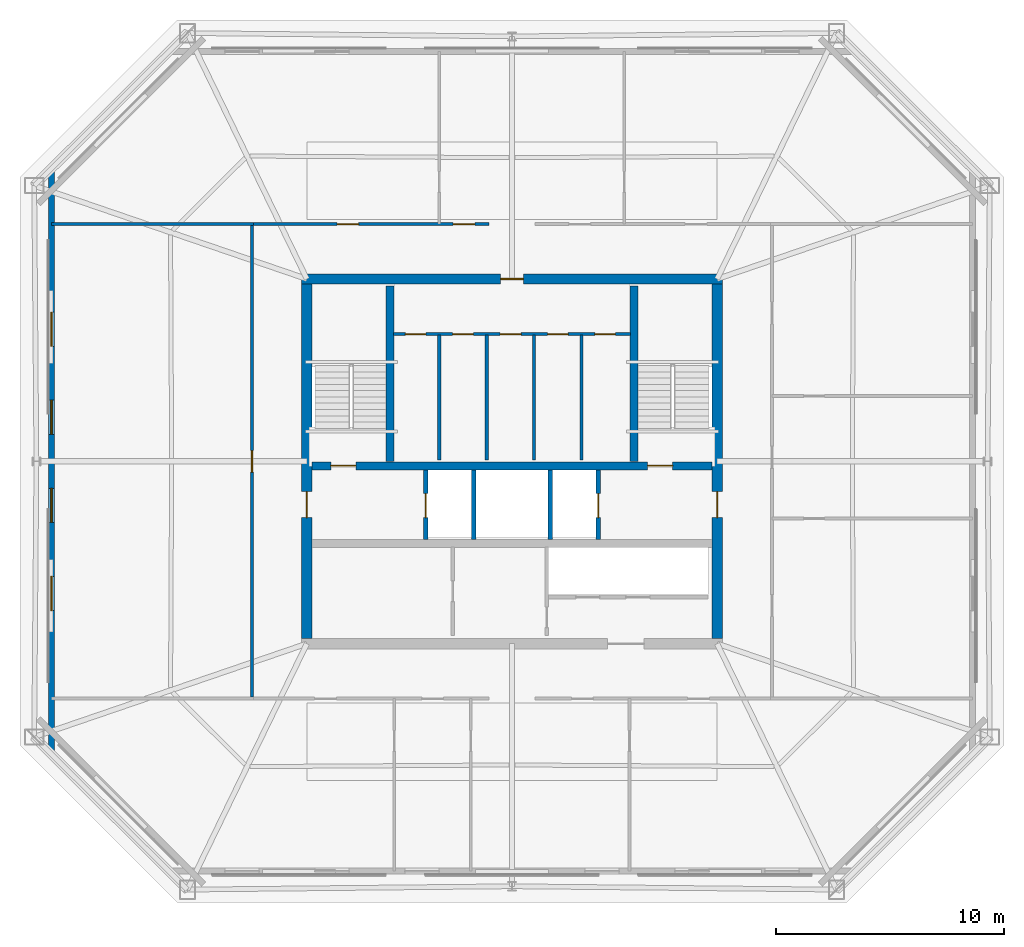
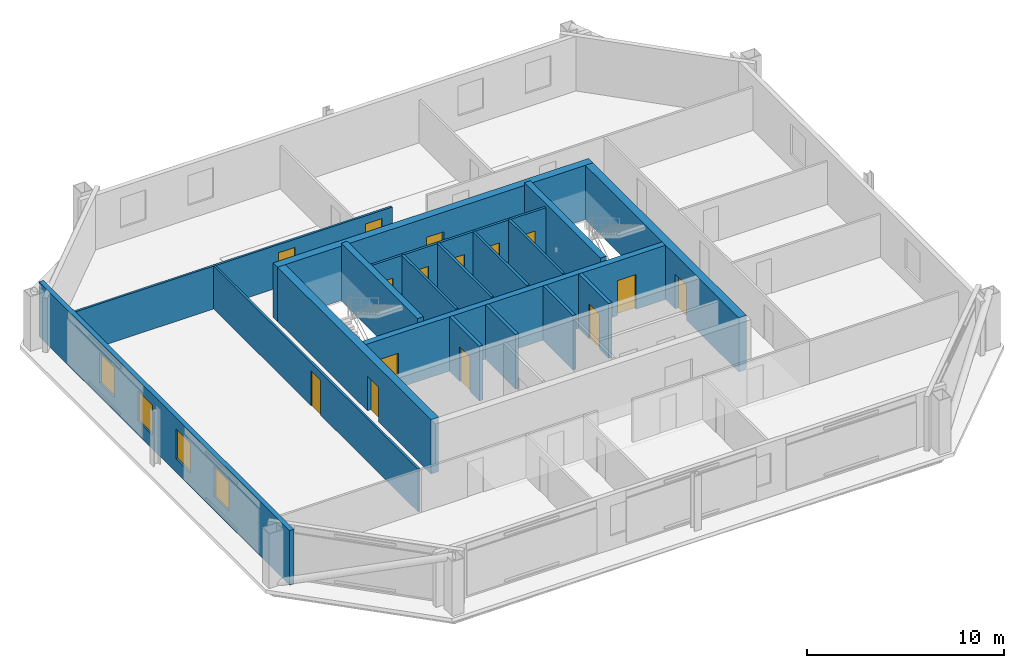
# One storey, part 3 of 7: 19 walls, 15 doors, 4 windows, 19 openings.
"""IFC4 building model written with IfcOpenShell, lengths in metres."""

from ifc_helpers import new_model, si_unit, direction, frame, frame_2d, origin, place, context, subcontext, project, spatial, rectangle, extrude, material, layer, layer_set, type_object, element, fill, save


model = new_model("IFC4")

# Units and contexts
model_context = context("Model", 3, precision=1e-05, world=origin(), true_north=direction((0.0, 1.0)))
body_context = subcontext(model_context, "Body", "Model", "MODEL_VIEW")
ifc_project = project(units=[si_unit("LENGTHUNIT", "METRE"), si_unit("AREAUNIT", "SQUARE_METRE"), si_unit("VOLUMEUNIT", "CUBIC_METRE"), si_unit("PLANEANGLEUNIT", "RADIAN"), si_unit("MASSUNIT", "GRAM", prefix="KILO")], contexts=[model_context])

# Site, building, storey
site_placement = place(None, origin())
site = spatial("IfcSite", under=ifc_project, at=site_placement, CompositionType="ELEMENT")
building_placement = place(site_placement, origin())
building = spatial("IfcBuilding", under=site, at=building_placement, Name="Caelvoria Tower", CompositionType="ELEMENT")
storey_placement = place(building_placement, frame((0.0, 0.0, 213.0)))
storey = spatial("IfcBuildingStorey", under=building, at=storey_placement, Name="L56", CompositionType="ELEMENT", Elevation=213.0)

# Wall, openings, doors
ifc_material_1 = material(Name="Concrete C50/60", Category="concrete")
ifc_layer_1 = layer(ifc_material_1, 0.35009765625, Name="Concrete C50/60")
ifc_layer_set_1 = layer_set([ifc_layer_1], Name="Core Internal Shear Wall 350 - Concrete C50/60")
wall_type_1 = type_object("IfcWallType", Name="Core Internal Shear Wall 350", PredefinedType="SHEAR", material=ifc_layer_set_1)
wall_1_placement = place(storey_placement, frame((37.22509765625, 31.800048828125, 0.0), z_axis=(0.0, 0.0, 1.0), x_axis=(1.0, 0.0, 0.0)))
wall_1 = element("IfcWall", 1, at=wall_1_placement, inside=storey, type_object=wall_type_1, Name="Core Shear Wall L56 M1", PredefinedType="SHEAR", context=body_context, shape_type="SweptSolid", body=[
    extrude(rectangle(XDim=17.5498046875, YDim=0.35009765625, at=frame_2d((8.77490234375, 0.0))), origin(), (0.0, 0.0, 1.0), 3.360107421875),
])
opening_1_placement = place(wall_1_placement, frame((0.824951171875, 0.0, 0.0)))
opening_1 = element("IfcOpeningElement", 2, at=opening_1_placement, cuts=wall_1, Name="Opening ID-01", PredefinedType="OPENING", context=body_context, shape_type="SweptSolid", body=[
    extrude(rectangle(XDim=1.10009765625, YDim=2.14990234375, at=frame_2d((0.550048828125, 1.074951171875))), frame((0.0, 0.18505859375, 0.0), z_axis=(0.0, -1.0, 0.0), x_axis=(1.0, 0.0, 0.0)), (0.0, 0.0, 1.0), 0.3701171875),
])
opening_2_placement = place(wall_1_placement, frame((14.72509765625, 0.0, 0.0)))
opening_2 = element("IfcOpeningElement", 3, at=opening_2_placement, cuts=wall_1, Name="Opening ID-01", PredefinedType="OPENING", context=body_context, shape_type="SweptSolid", body=[
    extrude(rectangle(XDim=1.10009765625, YDim=2.14990234375, at=frame_2d((0.550048828125, 1.074951171875))), frame((0.0, 0.18505859375, 0.0), z_axis=(0.0, -1.0, 0.0), x_axis=(1.0, 0.0, 0.0)), (0.0, 0.0, 1.0), 0.3701171875),
])
ifc_material_2 = material(Name="Painted Hollow Steel Fire Door", Category="steel")
door_type_1 = type_object("IfcDoorType", Name="Fire Door FD90S 1100x2150", OperationType="NOTDEFINED", PredefinedType="DOOR", material=ifc_material_2)
door_1_placement = place(opening_1_placement, origin())
door_1 = element("IfcDoor", 4, at=door_1_placement, inside=storey, type_object=door_type_1, Name="Core Door DR-L56-ST1", OperationType="SINGLE_SWING_LEFT", OverallHeight=2.14990234375, OverallWidth=1.10009765625, PredefinedType="DOOR", context=body_context, shape_type="SweptSolid", body=[
    extrude(rectangle(XDim=1.10009765625, YDim=2.14990234375, at=frame_2d((0.550048828125, 1.074951171875))), frame((0.0, 0.02490234375, 0.0), z_axis=(0.0, -1.0, 0.0), x_axis=(1.0, 0.0, 0.0)), (0.0, 0.0, 1.0), 0.050048828125),
])
fill(opening_1, door_1)
door_2_placement = place(opening_2_placement, origin())
door_2 = element("IfcDoor", 5, at=door_2_placement, inside=storey, type_object=door_type_1, Name="Core Door DR-L56-ST2", OperationType="SINGLE_SWING_RIGHT", OverallHeight=2.14990234375, OverallWidth=1.10009765625, PredefinedType="DOOR", context=body_context, shape_type="SweptSolid", body=[
    extrude(rectangle(XDim=1.10009765625, YDim=2.14990234375, at=frame_2d((0.550048828125, 1.074951171875))), frame((0.0, 0.02490234375, 0.0), z_axis=(0.0, -1.0, 0.0), x_axis=(1.0, 0.0, 0.0)), (0.0, 0.0, 1.0), 0.050048828125),
])
fill(opening_2, door_2)

# Walls
for number, where, z_axis, x_axis, name in (
    (6, (40.64990234375, 32.0, 0.0), (0.0, 0.0, 1.0), (0.0, 1.0, 0.0), "Interior Partition IW-L56-ST1E"),
    (7, (51.35009765625, 32.0, 0.0), (0.0, 0.0, 1.0), (0.0, 1.0, 0.0), "Interior Partition IW-L56-ST2W"),
):
    element("IfcWall", number, at=place(storey_placement, frame(where, z_axis=z_axis, x_axis=x_axis)), inside=storey, type_object=wall_type_1, Name=name, PredefinedType="SHEAR", context=body_context, shape_type="SweptSolid", body=[
        extrude(rectangle(XDim=7.699951171875, YDim=0.35009765625, at=frame_2d((3.85009765625, 0.0))), origin(), (0.0, 0.0, 1.0), 3.60009765625),
    ])
ifc_material_3 = material(Name="Moisture-Resistant Gypsum on Steel Stud", Category="steel")
ifc_layer_2 = layer(ifc_material_3, 0.139892578125, Name="Moisture-Resistant Gypsum on Steel Stud")
ifc_layer_set_2 = layer_set([ifc_layer_2], Name="Core Sanitary Acoustic Partition Wall 140 - Moisture-Resistant Gypsum on Steel Stud")
wall_type_2 = type_object("IfcWallType", Name="Core Sanitary Acoustic Partition Wall 140", PredefinedType="PARTITIONING", material=ifc_layer_set_2)
for number, where, z_axis, x_axis, name in (
    (8, (42.81005859375, 32.050048828125, 0.0), (0.0, 0.0, 1.0), (0.0, 1.0, 0.0), "Interior Partition IW-L56-C1V0"),
    (9, (44.889892578125, 32.050048828125, 0.0), (0.0, 0.0, 1.0), (0.0, 1.0, 0.0), "Interior Partition IW-L56-C1V1"),
    (10, (46.969970703125, 32.050048828125, 0.0), (0.0, 0.0, 1.0), (0.0, 1.0, 0.0), "Interior Partition IW-L56-C1V2"),
    (11, (49.050048828125, 32.050048828125, 0.0), (0.0, 0.0, 1.0), (0.0, 1.0, 0.0), "Interior Partition IW-L56-C1V3"),
):
    element("IfcWall", number, at=place(storey_placement, frame(where, z_axis=z_axis, x_axis=x_axis)), inside=storey, type_object=wall_type_2, Name=name, PredefinedType="PARTITIONING", context=body_context, shape_type="SweptSolid", body=[
        extrude(rectangle(XDim=5.5, YDim=0.139892578125, at=frame_2d((2.75, 0.0))), origin(), (0.0, 0.0, 1.0), 3.375),
    ])

# Wall, openings, doors
wall_2_placement = place(storey_placement, frame((40.800048828125, 37.580078125, 0.0), z_axis=(0.0, 0.0, 1.0), x_axis=(1.0, 0.0, 0.0)))
wall_2 = element("IfcWall", 12, at=wall_2_placement, inside=storey, type_object=wall_type_2, Name="Interior Partition IW-L56-C1H", PredefinedType="PARTITIONING", context=body_context, shape_type="SweptSolid", body=[
    extrude(rectangle(XDim=10.39990234375, YDim=0.139892578125, at=frame_2d((5.199951171875, 0.0))), origin(), (0.0, 0.0, 1.0), 3.375),
])
opening_3_placement = place(wall_2_placement, frame((0.52001953125, 0.0, 0.0)))
opening_3 = element("IfcOpeningElement", 13, at=opening_3_placement, cuts=wall_2, Name="Opening ID-06", PredefinedType="OPENING", context=body_context, shape_type="SweptSolid", body=[
    extrude(rectangle(XDim=0.89990234375, YDim=2.14990234375, at=frame_2d((0.449951171875, 1.074951171875))), frame((0.0, 0.079833984375, 0.0), z_axis=(0.0, -1.0, 0.0), x_axis=(1.0, 0.0, 0.0)), (0.0, 0.0, 1.0), 0.159912109375),
])
opening_4_placement = place(wall_2_placement, frame((2.60009765625, 0.0, 0.0)))
opening_4 = element("IfcOpeningElement", 14, at=opening_4_placement, cuts=wall_2, Name="Opening ID-06", PredefinedType="OPENING", context=body_context, shape_type="SweptSolid", body=[
    extrude(rectangle(XDim=0.89990234375, YDim=2.14990234375, at=frame_2d((0.449951171875, 1.074951171875))), frame((0.0, 0.079833984375, 0.0), z_axis=(0.0, -1.0, 0.0), x_axis=(1.0, 0.0, 0.0)), (0.0, 0.0, 1.0), 0.159912109375),
])
opening_5_placement = place(wall_2_placement, frame((4.679931640625, 0.0, 0.0)))
opening_5 = element("IfcOpeningElement", 15, at=opening_5_placement, cuts=wall_2, Name="Opening ID-07", PredefinedType="OPENING", context=body_context, shape_type="SweptSolid", body=[
    extrude(rectangle(XDim=0.919921875, YDim=2.14990234375, at=frame_2d((0.4599609375, 1.074951171875))), frame((0.0, 0.079833984375, 0.0), z_axis=(0.0, -1.0, 0.0), x_axis=(1.0, 0.0, 0.0)), (0.0, 0.0, 1.0), 0.159912109375),
])
opening_6_placement = place(wall_2_placement, frame((6.760009765625, 0.0, 0.0)))
opening_6 = element("IfcOpeningElement", 16, at=opening_6_placement, cuts=wall_2, Name="Opening ID-06", PredefinedType="OPENING", context=body_context, shape_type="SweptSolid", body=[
    extrude(rectangle(XDim=0.89990234375, YDim=2.14990234375, at=frame_2d((0.449951171875, 1.074951171875))), frame((0.0, 0.079833984375, 0.0), z_axis=(0.0, -1.0, 0.0), x_axis=(1.0, 0.0, 0.0)), (0.0, 0.0, 1.0), 0.159912109375),
])
opening_7_placement = place(wall_2_placement, frame((8.840087890625, 0.0, 0.0)))
opening_7 = element("IfcOpeningElement", 17, at=opening_7_placement, cuts=wall_2, Name="Opening ID-06", PredefinedType="OPENING", context=body_context, shape_type="SweptSolid", body=[
    extrude(rectangle(XDim=0.89990234375, YDim=2.14990234375, at=frame_2d((0.449951171875, 1.074951171875))), frame((0.0, 0.079833984375, 0.0), z_axis=(0.0, -1.0, 0.0), x_axis=(1.0, 0.0, 0.0)), (0.0, 0.0, 1.0), 0.159912109375),
])
ifc_material_4 = material(Name="Engineered Andean Oak Accessible Door", Category="wood")
door_type_2 = type_object("IfcDoorType", Name="Accessible WC Door 950x2150", OperationType="NOTDEFINED", PredefinedType="DOOR", material=ifc_material_4)
door_3_placement = place(opening_5_placement, origin())
door_3 = element("IfcDoor", 18, at=door_3_placement, inside=storey, type_object=door_type_2, Name="Interior Door DR-L56-C1-3", OperationType="SINGLE_SWING_LEFT", OverallHeight=2.14990234375, OverallWidth=0.919921875, PredefinedType="DOOR", context=body_context, shape_type="SweptSolid", body=[
    extrude(rectangle(XDim=0.919921875, YDim=2.14990234375, at=frame_2d((0.4599609375, 1.074951171875))), frame((0.0, 0.02490234375, 0.0), z_axis=(0.0, -1.0, 0.0), x_axis=(1.0, 0.0, 0.0)), (0.0, 0.0, 1.0), 0.050048828125),
])
fill(opening_5, door_3)
ifc_material_5 = material(Name="Engineered Andean Oak Veneer Door", Category="wood")
door_type_3 = type_object("IfcDoorType", Name="Interior Timber Door 900x2150", OperationType="NOTDEFINED", PredefinedType="DOOR", material=ifc_material_5)
door_4_placement = place(opening_3_placement, origin())
door_4 = element("IfcDoor", 19, at=door_4_placement, inside=storey, type_object=door_type_3, Name="Interior Door DR-L56-C1-1", OperationType="SINGLE_SWING_LEFT", OverallHeight=2.14990234375, OverallWidth=0.89990234375, PredefinedType="DOOR", context=body_context, shape_type="SweptSolid", body=[
    extrude(rectangle(XDim=0.89990234375, YDim=2.14990234375, at=frame_2d((0.449951171875, 1.074951171875))), frame((0.0, 0.02490234375, 0.0), z_axis=(0.0, -1.0, 0.0), x_axis=(1.0, 0.0, 0.0)), (0.0, 0.0, 1.0), 0.050048828125),
])
fill(opening_3, door_4)
door_5_placement = place(opening_4_placement, origin())
door_5 = element("IfcDoor", 20, at=door_5_placement, inside=storey, type_object=door_type_3, Name="Interior Door DR-L56-C1-2", OperationType="SINGLE_SWING_RIGHT", OverallHeight=2.14990234375, OverallWidth=0.89990234375, PredefinedType="DOOR", context=body_context, shape_type="SweptSolid", body=[
    extrude(rectangle(XDim=0.89990234375, YDim=2.14990234375, at=frame_2d((0.449951171875, 1.074951171875))), frame((0.0, 0.02490234375, 0.0), z_axis=(0.0, -1.0, 0.0), x_axis=(1.0, 0.0, 0.0)), (0.0, 0.0, 1.0), 0.050048828125),
])
fill(opening_4, door_5)
door_6_placement = place(opening_6_placement, origin())
door_6 = element("IfcDoor", 21, at=door_6_placement, inside=storey, type_object=door_type_3, Name="Interior Door DR-L56-C1-4", OperationType="SINGLE_SWING_RIGHT", OverallHeight=2.14990234375, OverallWidth=0.89990234375, PredefinedType="DOOR", context=body_context, shape_type="SweptSolid", body=[
    extrude(rectangle(XDim=0.89990234375, YDim=2.14990234375, at=frame_2d((0.449951171875, 1.074951171875))), frame((0.0, 0.02490234375, 0.0), z_axis=(0.0, -1.0, 0.0), x_axis=(1.0, 0.0, 0.0)), (0.0, 0.0, 1.0), 0.050048828125),
])
fill(opening_6, door_6)
door_7_placement = place(opening_7_placement, origin())
door_7 = element("IfcDoor", 22, at=door_7_placement, inside=storey, type_object=door_type_3, Name="Interior Door DR-L56-C1-5", OperationType="SINGLE_SWING_LEFT", OverallHeight=2.14990234375, OverallWidth=0.89990234375, PredefinedType="DOOR", context=body_context, shape_type="SweptSolid", body=[
    extrude(rectangle(XDim=0.89990234375, YDim=2.14990234375, at=frame_2d((0.449951171875, 1.074951171875))), frame((0.0, 0.02490234375, 0.0), z_axis=(0.0, -1.0, 0.0), x_axis=(1.0, 0.0, 0.0)), (0.0, 0.0, 1.0), 0.050048828125),
])
fill(opening_7, door_7)

# Walls
ifc_material_6 = material(Name="Concrete Block and Fireboard Assembly", Category="concrete")
ifc_layer_3 = layer(ifc_material_6, 0.179931640625, Name="Concrete Block and Fireboard Assembly")
ifc_layer_set_3 = layer_set([ifc_layer_3], Name="Fire-Rated Hoistway Partition Wall 180 - Concrete Block and Fireboard Assembly")
wall_type_3 = type_object("IfcWallType", Name="Fire-Rated Hoistway Partition Wall 180", PredefinedType="PARTITIONING", material=ifc_layer_set_3)
for number, where, z_axis, x_axis, name in (
    (23, (44.320068359375, 28.580078125, 0.0), (0.0, 0.0, 1.0), (0.0, 1.0, 0.0), "Interior Partition IW-L56-SV1W"),
    (24, (47.679931640625, 28.580078125, 0.0), (0.0, 0.0, 1.0), (0.0, 1.0, 0.0), "Interior Partition IW-L56-SV1E"),
):
    element("IfcWall", number, at=place(storey_placement, frame(where, z_axis=z_axis, x_axis=x_axis)), inside=storey, type_object=wall_type_3, Name=name, PredefinedType="PARTITIONING", context=body_context, shape_type="SweptSolid", body=[
        extrude(rectangle(XDim=3.0400390625, YDim=0.179931640625, at=frame_2d((1.52001953125, 0.0))), origin(), (0.0, 0.0, 1.0), 3.375),
    ])

# Wall, opening, door
ifc_layer_4 = layer(ifc_material_6, 0.199951171875, Name="Concrete Block and Fireboard Assembly")
ifc_layer_set_4 = layer_set([ifc_layer_4], Name="Fire-Rated Shaft and Core Partition Wall 200 - Concrete Block and Fireboard Assembly")
wall_type_4 = type_object("IfcWallType", Name="Fire-Rated Shaft and Core Partition Wall 200", PredefinedType="PARTITIONING", material=ifc_layer_set_4)
wall_3_placement = place(storey_placement, frame((42.219970703125, 28.580078125, 0.0), z_axis=(0.0, 0.0, 1.0), x_axis=(0.0, 1.0, 0.0)))
wall_3 = element("IfcWall", 25, at=wall_3_placement, inside=storey, type_object=wall_type_4, Name="Interior Partition IW-L56-LF1W", PredefinedType="PARTITIONING", context=body_context, shape_type="SweptSolid", body=[
    extrude(rectangle(XDim=3.0400390625, YDim=0.199951171875, at=frame_2d((1.52001953125, 0.0))), origin(), (0.0, 0.0, 1.0), 3.375),
])
opening_8_placement = place(wall_3_placement, frame((0.949951171875, 0.0, 0.0)))
opening_8 = element("IfcOpeningElement", 26, at=opening_8_placement, cuts=wall_3, Name="Opening LD-01", PredefinedType="OPENING", context=body_context, shape_type="SweptSolid", body=[
    extrude(rectangle(XDim=1.050048828125, YDim=2.14990234375, at=frame_2d((0.52490234375, 1.074951171875))), frame((0.0, 0.10986328125, 0.0), z_axis=(0.0, -1.0, 0.0), x_axis=(1.0, 0.0, 0.0)), (0.0, 0.0, 1.0), 0.219970703125),
])
ifc_material_7 = material(Name="Brushed Bronze Stainless Sliding Landing Door", Category="aluminium")
door_type_4 = type_object("IfcDoorType", Name="Lift Landing Sliding Door 1100x2150", OperationType="NOTDEFINED", PredefinedType="DOOR", material=ifc_material_7)
door_8_placement = place(opening_8_placement, origin())
door_8 = element("IfcDoor", 27, at=door_8_placement, inside=storey, type_object=door_type_4, Name="Interior Door LD-L56-LF1", OperationType="SLIDING_TO_LEFT", OverallHeight=2.14990234375, OverallWidth=1.050048828125, PredefinedType="DOOR", context=body_context, shape_type="SweptSolid", body=[
    extrude(rectangle(XDim=1.050048828125, YDim=2.14990234375, at=frame_2d((0.52490234375, 1.074951171875))), frame((0.0, 0.02490234375, 0.0), z_axis=(0.0, -1.0, 0.0), x_axis=(1.0, 0.0, 0.0)), (0.0, 0.0, 1.0), 0.050048828125),
])
fill(opening_8, door_8)

wall_4_placement = place(storey_placement, frame((49.780029296875, 28.580078125, 0.0), z_axis=(0.0, 0.0, 1.0), x_axis=(0.0, 1.0, 0.0)))
wall_4 = element("IfcWall", 28, at=wall_4_placement, inside=storey, type_object=wall_type_4, Name="Interior Partition IW-L56-LF2E", PredefinedType="PARTITIONING", context=body_context, shape_type="SweptSolid", body=[
    extrude(rectangle(XDim=3.0400390625, YDim=0.199951171875, at=frame_2d((1.52001953125, 0.0))), origin(), (0.0, 0.0, 1.0), 3.375),
])
opening_9_placement = place(wall_4_placement, frame((0.949951171875, 0.0, 0.0)))
opening_9 = element("IfcOpeningElement", 29, at=opening_9_placement, cuts=wall_4, Name="Opening LD-01", PredefinedType="OPENING", context=body_context, shape_type="SweptSolid", body=[
    extrude(rectangle(XDim=1.050048828125, YDim=2.14990234375, at=frame_2d((0.52490234375, 1.074951171875))), frame((0.0, 0.10986328125, 0.0), z_axis=(0.0, -1.0, 0.0), x_axis=(1.0, 0.0, 0.0)), (0.0, 0.0, 1.0), 0.219970703125),
])
door_9_placement = place(opening_9_placement, origin())
door_9 = element("IfcDoor", 30, at=door_9_placement, inside=storey, type_object=door_type_4, Name="Interior Door LD-L56-LF2", OperationType="SLIDING_TO_RIGHT", OverallHeight=2.14990234375, OverallWidth=1.050048828125, PredefinedType="DOOR", context=body_context, shape_type="SweptSolid", body=[
    extrude(rectangle(XDim=1.050048828125, YDim=2.14990234375, at=frame_2d((0.52490234375, 1.074951171875))), frame((0.0, 0.02490234375, 0.0), z_axis=(0.0, -1.0, 0.0), x_axis=(1.0, 0.0, 0.0)), (0.0, 0.0, 1.0), 0.050048828125),
])
fill(opening_9, door_9)

# Wall, openings, doors
ifc_material_8 = material(Name="Acoustic Gypsum Board on Light-Gauge Stud", Category="gypsum")
ifc_layer_5 = layer(ifc_material_8, 0.1201171875, Name="Acoustic Gypsum Board on Light-Gauge Stud")
ifc_layer_set_5 = layer_set([ifc_layer_5], Name="Tenant Suite Acoustic Partition Wall 120 - Acoustic Gypsum Board on Light-Gauge Stud")
wall_type_5 = type_object("IfcWallType", Name="Tenant Suite Acoustic Partition Wall 120", PredefinedType="PARTITIONING", material=ifc_layer_set_5)
wall_5_placement = place(storey_placement, frame((34.64990234375, 42.409912109375, 0.0), z_axis=(0.0, 0.0, 1.0), x_axis=(1.0, 0.0, 0.0)))
wall_5 = element("IfcWall", 31, at=wall_5_placement, inside=storey, type_object=wall_type_5, Name="Interior Partition IW-L56-NCW-0", PredefinedType="PARTITIONING", context=body_context, shape_type="SweptSolid", body=[
    extrude(rectangle(XDim=10.330078125, YDim=0.1201171875, at=frame_2d((5.1650390625, 0.0))), origin(), (0.0, 0.0, 1.0), 2.655029296875),
])
opening_10_placement = place(wall_5_placement, frame((3.673583984375, 0.0, 0.0)))
opening_10 = element("IfcOpeningElement", 32, at=opening_10_placement, cuts=wall_5, Name="Opening ID-05", PredefinedType="OPENING", context=body_context, shape_type="SweptSolid", body=[
    extrude(rectangle(XDim=0.949951171875, YDim=2.14990234375, at=frame_2d((0.47509765625, 1.074951171875))), frame((0.0, 0.070068359375, 0.0), z_axis=(0.0, -1.0, 0.0), x_axis=(1.0, 0.0, 0.0)), (0.0, 0.0, 1.0), 0.14013671875),
])
opening_11_placement = place(wall_5_placement, frame((8.768798828125, 0.0, 0.0)))
opening_11 = element("IfcOpeningElement", 33, at=opening_11_placement, cuts=wall_5, Name="Opening ID-05", PredefinedType="OPENING", context=body_context, shape_type="SweptSolid", body=[
    extrude(rectangle(XDim=0.949951171875, YDim=2.14990234375, at=frame_2d((0.47509765625, 1.074951171875))), frame((0.0, 0.070068359375, 0.0), z_axis=(0.0, -1.0, 0.0), x_axis=(1.0, 0.0, 0.0)), (0.0, 0.0, 1.0), 0.14013671875),
])
door_type_5 = type_object("IfcDoorType", Name="Interior Timber Door 950x2150", OperationType="NOTDEFINED", PredefinedType="DOOR", material=ifc_material_5)
door_10_placement = place(opening_10_placement, origin())
door_10 = element("IfcDoor", 34, at=door_10_placement, inside=storey, type_object=door_type_5, Name="Interior Door DR-L56-NC-00-0", OperationType="SINGLE_SWING_LEFT", OverallHeight=2.14990234375, OverallWidth=0.949951171875, PredefinedType="DOOR", context=body_context, shape_type="SweptSolid", body=[
    extrude(rectangle(XDim=0.949951171875, YDim=2.14990234375, at=frame_2d((0.47509765625, 1.074951171875))), frame((0.0, 0.02490234375, 0.0), z_axis=(0.0, -1.0, 0.0), x_axis=(1.0, 0.0, 0.0)), (0.0, 0.0, 1.0), 0.050048828125),
])
fill(opening_10, door_10)
door_11_placement = place(opening_11_placement, origin())
door_11 = element("IfcDoor", 35, at=door_11_placement, inside=storey, type_object=door_type_5, Name="Interior Door DR-L56-NC-01-0", OperationType="SINGLE_SWING_RIGHT", OverallHeight=2.14990234375, OverallWidth=0.949951171875, PredefinedType="DOOR", context=body_context, shape_type="SweptSolid", body=[
    extrude(rectangle(XDim=0.949951171875, YDim=2.14990234375, at=frame_2d((0.47509765625, 1.074951171875))), frame((0.0, 0.02490234375, 0.0), z_axis=(0.0, -1.0, 0.0), x_axis=(1.0, 0.0, 0.0)), (0.0, 0.0, 1.0), 0.050048828125),
])
fill(opening_11, door_11)

# Wall, opening, door
wall_6_placement = place(storey_placement, frame((34.590087890625, 21.64990234375, 0.0), z_axis=(0.0, 0.0, 1.0), x_axis=(0.0, 1.0, 0.0)))
wall_6 = element("IfcWall", 36, at=wall_6_placement, inside=storey, type_object=wall_type_5, Name="Interior Partition IW-L56-WCW-0", PredefinedType="PARTITIONING", context=body_context, shape_type="SweptSolid", body=[
    extrude(rectangle(XDim=20.7001953125, YDim=0.1201171875, at=frame_2d((10.35009765625, 0.0))), origin(), (0.0, 0.0, 1.0), 2.655029296875),
])
opening_12_placement = place(wall_6_placement, frame((9.875, 0.0, 0.0)))
opening_12 = element("IfcOpeningElement", 37, at=opening_12_placement, cuts=wall_6, Name="Opening ID-05", PredefinedType="OPENING", context=body_context, shape_type="SweptSolid", body=[
    extrude(rectangle(XDim=0.949951171875, YDim=2.14990234375, at=frame_2d((0.47509765625, 1.074951171875))), frame((0.0, 0.070068359375, 0.0), z_axis=(0.0, -1.0, 0.0), x_axis=(1.0, 0.0, 0.0)), (0.0, 0.0, 1.0), 0.14013671875),
])
door_12_placement = place(opening_12_placement, origin())
door_12 = element("IfcDoor", 38, at=door_12_placement, inside=storey, type_object=door_type_5, Name="Interior Door DR-L56-WC-00-0", OperationType="SINGLE_SWING_LEFT", OverallHeight=2.14990234375, OverallWidth=0.949951171875, PredefinedType="DOOR", context=body_context, shape_type="SweptSolid", body=[
    extrude(rectangle(XDim=0.949951171875, YDim=2.14990234375, at=frame_2d((0.47509765625, 1.074951171875))), frame((0.0, 0.02490234375, 0.0), z_axis=(0.0, -1.0, 0.0), x_axis=(1.0, 0.0, 0.0)), (0.0, 0.0, 1.0), 0.050048828125),
])
fill(opening_12, door_12)

# Wall
wall_7_placement = place(storey_placement, frame((34.64990234375, 42.409912109375, 0.0), z_axis=(0.0, 0.0, 1.0), x_axis=(-1.0, 0.0, 0.0)))
element("IfcWall", 39, at=wall_7_placement, inside=storey, type_object=wall_type_5, Name="Interior Partition IW-L56-BNW-0", PredefinedType="PARTITIONING", context=body_context, shape_type="SweptSolid", body=[
    extrude(rectangle(XDim=8.856201171875, YDim=0.1201171875, at=frame_2d((4.42822265625, 0.0))), origin(), (0.0, 0.0, 1.0), 2.655029296875),
])

# Wall, opening, door
ifc_layer_6 = layer(ifc_material_1, 0.449951171875, Name="Concrete C50/60")
ifc_layer_set_6 = layer_set([ifc_layer_6], Name="Upper Core Shear Wall 450 - Concrete C50/60")
wall_type_6 = type_object("IfcWallType", Name="Upper Core Shear Wall 450", PredefinedType="SHEAR", material=ifc_layer_set_6)
wall_8_placement = place(storey_placement, frame((36.77490234375, 40.0, 0.0), z_axis=(0.0, 0.0, 1.0), x_axis=(1.0, 0.0, 0.0)))
wall_8 = element("IfcWall", 40, at=wall_8_placement, inside=storey, type_object=wall_type_6, Name="Core Shear Wall L56 N", PredefinedType="SHEAR", context=body_context, shape_type="SweptSolid", body=[
    extrude(rectangle(XDim=18.4501953125, YDim=0.449951171875, at=frame_2d((9.22509765625, 0.0))), origin(), (0.0, 0.0, 1.0), 3.360107421875),
])
opening_13_placement = place(wall_8_placement, frame((8.72509765625, 0.0, 0.0)))
opening_13 = element("IfcOpeningElement", 41, at=opening_13_placement, cuts=wall_8, Name="Opening ID-03", PredefinedType="OPENING", context=body_context, shape_type="SweptSolid", body=[
    extrude(rectangle(XDim=1.0, YDim=2.14990234375, at=frame_2d((0.5, 1.074951171875))), frame((0.0, 0.23486328125, 0.0), z_axis=(0.0, -1.0, 0.0), x_axis=(1.0, 0.0, 0.0)), (0.0, 0.0, 1.0), 0.469970703125),
])
door_type_6 = type_object("IfcDoorType", Name="Fire Door FD60S 1000x2150", OperationType="NOTDEFINED", PredefinedType="DOOR", material=ifc_material_2)
door_13_placement = place(opening_13_placement, origin())
door_13 = element("IfcDoor", 42, at=door_13_placement, inside=storey, type_object=door_type_6, Name="Core Door DR-L56-WC-MAIN", OperationType="SINGLE_SWING_RIGHT", OverallHeight=2.14990234375, OverallWidth=1.0, PredefinedType="DOOR", context=body_context, shape_type="SweptSolid", body=[
    extrude(rectangle(XDim=1.0, YDim=2.14990234375, at=frame_2d((0.5, 1.074951171875))), frame((0.0, 0.02490234375, 0.0), z_axis=(0.0, -1.0, 0.0), x_axis=(1.0, 0.0, 0.0)), (0.0, 0.0, 1.0), 0.050048828125),
])
fill(opening_13, door_13)

wall_9_placement = place(storey_placement, frame((37.0, 24.22509765625, 0.0), z_axis=(0.0, 0.0, 1.0), x_axis=(0.0, 1.0, 0.0)))
wall_9 = element("IfcWall", 43, at=wall_9_placement, inside=storey, type_object=wall_type_6, Name="Core Shear Wall L56 W", PredefinedType="SHEAR", context=body_context, shape_type="SweptSolid", body=[
    extrude(rectangle(XDim=15.5498046875, YDim=0.449951171875, at=frame_2d((7.77490234375, 0.0))), origin(), (0.0, 0.0, 1.0), 3.360107421875),
])
opening_14_placement = place(wall_9_placement, frame((5.300048828125, 0.0, 0.0)))
opening_14 = element("IfcOpeningElement", 44, at=opening_14_placement, cuts=wall_9, Name="Opening ID-02", PredefinedType="OPENING", context=body_context, shape_type="SweptSolid", body=[
    extrude(rectangle(XDim=1.14990234375, YDim=2.14990234375, at=frame_2d((0.574951171875, 1.074951171875))), frame((0.0, 0.23486328125, 0.0), z_axis=(0.0, -1.0, 0.0), x_axis=(1.0, 0.0, 0.0)), (0.0, 0.0, 1.0), 0.469970703125),
])
door_type_7 = type_object("IfcDoorType", Name="Fire Door FD60S 1150x2150", OperationType="NOTDEFINED", PredefinedType="DOOR", material=ifc_material_2)
door_14_placement = place(opening_14_placement, origin())
door_14 = element("IfcDoor", 45, at=door_14_placement, inside=storey, type_object=door_type_7, Name="Core Door DR-L56-FFLW-OUT", OperationType="SINGLE_SWING_LEFT", OverallHeight=2.14990234375, OverallWidth=1.14990234375, PredefinedType="DOOR", context=body_context, shape_type="SweptSolid", body=[
    extrude(rectangle(XDim=1.14990234375, YDim=2.14990234375, at=frame_2d((0.574951171875, 1.074951171875))), frame((0.0, 0.02490234375, 0.0), z_axis=(0.0, -1.0, 0.0), x_axis=(1.0, 0.0, 0.0)), (0.0, 0.0, 1.0), 0.050048828125),
])
fill(opening_14, door_14)

wall_10_placement = place(storey_placement, frame((55.0, 24.22509765625, 0.0), z_axis=(0.0, 0.0, 1.0), x_axis=(0.0, 1.0, 0.0)))
wall_10 = element("IfcWall", 46, at=wall_10_placement, inside=storey, type_object=wall_type_6, Name="Core Shear Wall L56 E", PredefinedType="SHEAR", context=body_context, shape_type="SweptSolid", body=[
    extrude(rectangle(XDim=15.5498046875, YDim=0.449951171875, at=frame_2d((7.77490234375, 0.0))), origin(), (0.0, 0.0, 1.0), 3.360107421875),
])
opening_15_placement = place(wall_10_placement, frame((5.300048828125, 0.0, 0.0)))
opening_15 = element("IfcOpeningElement", 47, at=opening_15_placement, cuts=wall_10, Name="Opening ID-02", PredefinedType="OPENING", context=body_context, shape_type="SweptSolid", body=[
    extrude(rectangle(XDim=1.14990234375, YDim=2.14990234375, at=frame_2d((0.574951171875, 1.074951171875))), frame((0.0, 0.23486328125, 0.0), z_axis=(0.0, -1.0, 0.0), x_axis=(1.0, 0.0, 0.0)), (0.0, 0.0, 1.0), 0.469970703125),
])
door_15_placement = place(opening_15_placement, origin())
door_15 = element("IfcDoor", 48, at=door_15_placement, inside=storey, type_object=door_type_7, Name="Core Door DR-L56-FFLE-OUT", OperationType="SINGLE_SWING_RIGHT", OverallHeight=2.14990234375, OverallWidth=1.14990234375, PredefinedType="DOOR", context=body_context, shape_type="SweptSolid", body=[
    extrude(rectangle(XDim=1.14990234375, YDim=2.14990234375, at=frame_2d((0.574951171875, 1.074951171875))), frame((0.0, 0.02490234375, 0.0), z_axis=(0.0, -1.0, 0.0), x_axis=(1.0, 0.0, 0.0)), (0.0, 0.0, 1.0), 0.050048828125),
])
fill(opening_15, door_15)

# Wall, openings, windows
ifc_material_9 = material(Name="Precast Concrete C40/50 with Bronze Cladding", Category="concrete")
ifc_layer_7 = layer(ifc_material_9, 0.264892578125, Name="Precast Concrete C40/50 with Bronze Cladding")
ifc_layer_set_7 = layer_set([ifc_layer_7], Name="Upper Taper Precast Concrete C40/50 Bronze Facade Wall 265 - Precast Concrete C40/50 with Bronze Cladding")
wall_type_7 = type_object("IfcWallType", Name="Upper Taper Precast Concrete C40/50 Bronze Facade Wall 265", PredefinedType="STANDARD", material=ifc_layer_set_7)
wall_11_placement = place(storey_placement, frame((25.793701171875, 44.694580078125, 0.0), z_axis=(0.0, 0.0, 1.0), x_axis=(0.0, -1.0, 0.0)))
wall_11 = element("IfcWall", 49, at=wall_11_placement, inside=storey, type_object=wall_type_7, Name="Exterior Facade Wall L56-E6", PredefinedType="STANDARD", context=body_context, shape_type="SweptSolid", body=[
    extrude(rectangle(XDim=25.38916015625, YDim=0.264892578125, at=frame_2d((12.694580078125, 0.0))), origin(), (0.0, 0.0, 1.0), 3.375),
])
opening_16_placement = place(wall_11_placement, frame((6.147216796875, 0.0, 0.85009765625)))
opening_16 = element("IfcOpeningElement", 50, at=opening_16_placement, cuts=wall_11, Name="Opening WN-03", PredefinedType="OPENING", context=body_context, shape_type="SweptSolid", body=[
    extrude(rectangle(XDim=1.5, YDim=1.85009765625, at=frame_2d((0.75, 0.925048828125))), frame((0.0, 0.142333984375, 0.0), z_axis=(0.0, -1.0, 0.0), x_axis=(1.0, 0.0, 0.0)), (0.0, 0.0, 1.0), 0.284912109375),
])
opening_17_placement = place(wall_11_placement, frame((10.01220703125, 0.0, 0.85009765625)))
opening_17 = element("IfcOpeningElement", 51, at=opening_17_placement, cuts=wall_11, Name="Opening WN-03", PredefinedType="OPENING", context=body_context, shape_type="SweptSolid", body=[
    extrude(rectangle(XDim=1.5, YDim=1.85009765625, at=frame_2d((0.75, 0.925048828125))), frame((0.0, 0.142333984375, 0.0), z_axis=(0.0, -1.0, 0.0), x_axis=(1.0, 0.0, 0.0)), (0.0, 0.0, 1.0), 0.284912109375),
])
opening_18_placement = place(wall_11_placement, frame((13.876953125, 0.0, 0.85009765625)))
opening_18 = element("IfcOpeningElement", 52, at=opening_18_placement, cuts=wall_11, Name="Opening WN-03", PredefinedType="OPENING", context=body_context, shape_type="SweptSolid", body=[
    extrude(rectangle(XDim=1.5, YDim=1.85009765625, at=frame_2d((0.75, 0.925048828125))), frame((0.0, 0.142333984375, 0.0), z_axis=(0.0, -1.0, 0.0), x_axis=(1.0, 0.0, 0.0)), (0.0, 0.0, 1.0), 0.284912109375),
])
opening_19_placement = place(wall_11_placement, frame((17.74169921875, 0.0, 0.85009765625)))
opening_19 = element("IfcOpeningElement", 53, at=opening_19_placement, cuts=wall_11, Name="Opening WN-03", PredefinedType="OPENING", context=body_context, shape_type="SweptSolid", body=[
    extrude(rectangle(XDim=1.5, YDim=1.85009765625, at=frame_2d((0.75, 0.925048828125))), frame((0.0, 0.142333984375, 0.0), z_axis=(0.0, -1.0, 0.0), x_axis=(1.0, 0.0, 0.0)), (0.0, 0.0, 1.0), 0.284912109375),
])
ifc_material_10 = material(Name="Low-E Tinted Glass in Bronze Aluminium Frame", Category="aluminium")
window_type = type_object("IfcWindowType", Name="Upper Taper Vision Window 1500x1850", PartitioningType="SINGLE_PANEL", PredefinedType="WINDOW", material=ifc_material_10)
window_1_placement = place(opening_16_placement, origin())
window_1 = element("IfcWindow", 54, at=window_1_placement, inside=storey, type_object=window_type, Name="Facade Window L56-E6-01", OverallHeight=1.85009765625, OverallWidth=1.5, PartitioningType="SINGLE_PANEL", PredefinedType="WINDOW", context=body_context, shape_type="SweptSolid", body=[
    extrude(rectangle(XDim=1.5, YDim=1.85009765625, at=frame_2d((0.75, 0.925048828125))), frame((0.0, 0.030029296875, 0.0), z_axis=(0.0, -1.0, 0.0), x_axis=(1.0, 0.0, 0.0)), (0.0, 0.0, 1.0), 0.06005859375),
])
fill(opening_16, window_1)
window_2_placement = place(opening_17_placement, origin())
window_2 = element("IfcWindow", 55, at=window_2_placement, inside=storey, type_object=window_type, Name="Facade Window L56-E6-02", OverallHeight=1.85009765625, OverallWidth=1.5, PartitioningType="SINGLE_PANEL", PredefinedType="WINDOW", context=body_context, shape_type="SweptSolid", body=[
    extrude(rectangle(XDim=1.5, YDim=1.85009765625, at=frame_2d((0.75, 0.925048828125))), frame((0.0, 0.030029296875, 0.0), z_axis=(0.0, -1.0, 0.0), x_axis=(1.0, 0.0, 0.0)), (0.0, 0.0, 1.0), 0.06005859375),
])
fill(opening_17, window_2)
window_3_placement = place(opening_18_placement, origin())
window_3 = element("IfcWindow", 56, at=window_3_placement, inside=storey, type_object=window_type, Name="Facade Window L56-E6-03", OverallHeight=1.85009765625, OverallWidth=1.5, PartitioningType="SINGLE_PANEL", PredefinedType="WINDOW", context=body_context, shape_type="SweptSolid", body=[
    extrude(rectangle(XDim=1.5, YDim=1.85009765625, at=frame_2d((0.75, 0.925048828125))), frame((0.0, 0.030029296875, 0.0), z_axis=(0.0, -1.0, 0.0), x_axis=(1.0, 0.0, 0.0)), (0.0, 0.0, 1.0), 0.06005859375),
])
fill(opening_18, window_3)
window_4_placement = place(opening_19_placement, origin())
window_4 = element("IfcWindow", 57, at=window_4_placement, inside=storey, type_object=window_type, Name="Facade Window L56-E6-04", OverallHeight=1.85009765625, OverallWidth=1.5, PartitioningType="SINGLE_PANEL", PredefinedType="WINDOW", context=body_context, shape_type="SweptSolid", body=[
    extrude(rectangle(XDim=1.5, YDim=1.85009765625, at=frame_2d((0.75, 0.925048828125))), frame((0.0, 0.030029296875, 0.0), z_axis=(0.0, -1.0, 0.0), x_axis=(1.0, 0.0, 0.0)), (0.0, 0.0, 1.0), 0.06005859375),
])
fill(opening_19, window_4)

save(model, "model.ifc")
